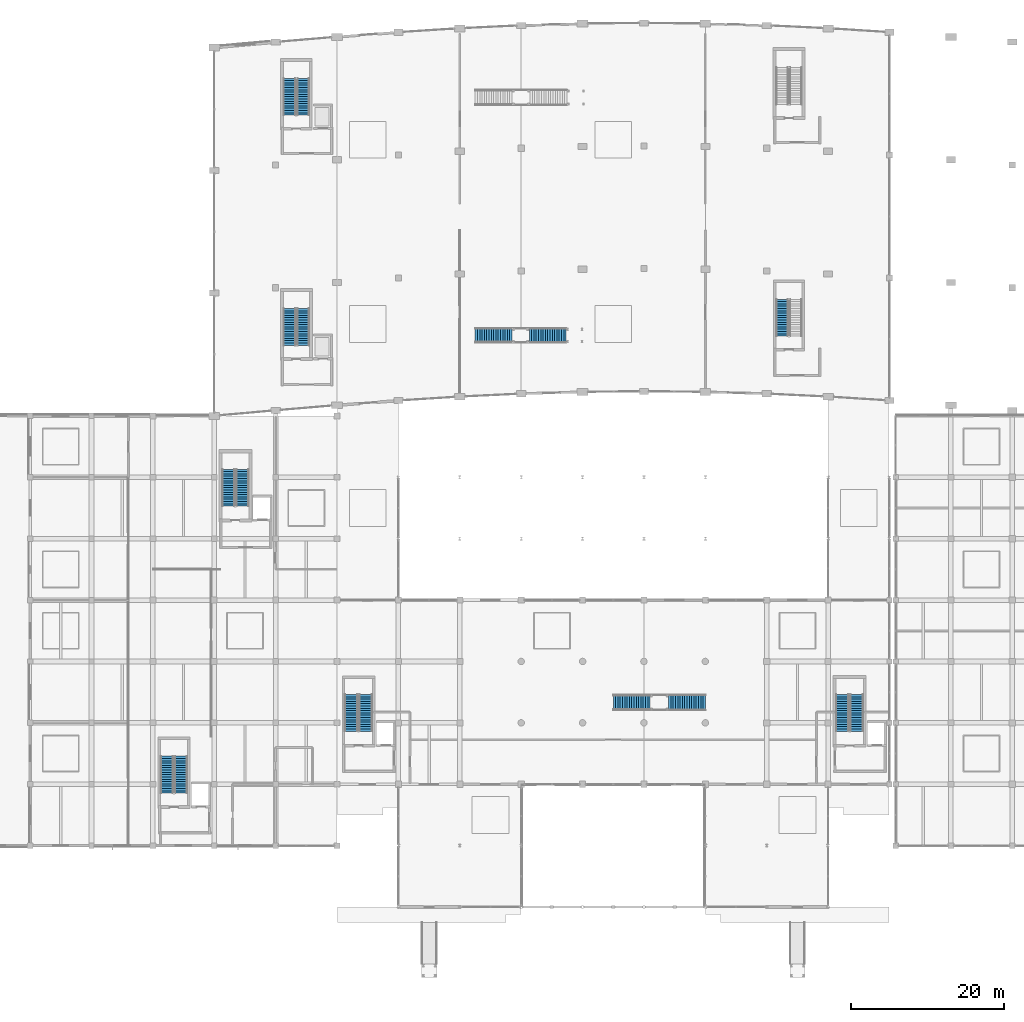
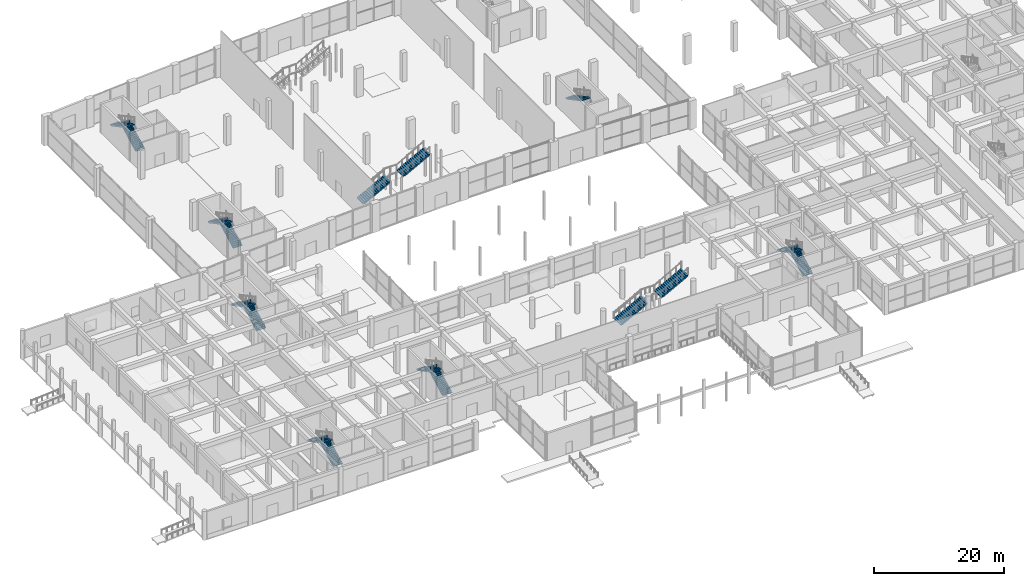
# One storey, part 63 of 86: 17 stair flights, 9 elements without a shape of their own.
"""IFC4 building model written with IfcOpenShell, lengths in metres."""

from ifc_helpers import new_model, si_unit, direction, frame, origin, place, context, subcontext, project, spatial, polyline, outline, extrude, material, layer, layer_set, type_object, element, aggregate, save


model = new_model("IFC4")

# Units and contexts
model_context = context("Model", 3, precision=1e-05, world=origin(), true_north=direction((0.0, 1.0)))
body_context = subcontext(model_context, "Body", "Model", "MODEL_VIEW")
ifc_project = project(units=[si_unit("LENGTHUNIT", "METRE"), si_unit("AREAUNIT", "SQUARE_METRE"), si_unit("VOLUMEUNIT", "CUBIC_METRE"), si_unit("PLANEANGLEUNIT", "RADIAN"), si_unit("MASSUNIT", "GRAM", prefix="KILO")], contexts=[model_context])

# Site, building, storey
site_placement = place(None, origin())
site = spatial("IfcSite", under=ifc_project, at=site_placement, CompositionType="ELEMENT")
building_placement = place(site_placement, origin())
building = spatial("IfcBuilding", under=site, at=building_placement, Name="Kenh Van Central Station", CompositionType="ELEMENT")
storey_placement = place(building_placement, origin())
storey = spatial("IfcBuildingStorey", under=building, at=storey_placement, Name="L00", CompositionType="ELEMENT", Elevation=0.0)

# Stair, stair flights
ifc_material_1 = material(Name="Concrete C35/45", Category="concrete")
stair_type_1 = type_object("IfcStairType", Name="STR-DLG-1600", PredefinedType="HALF_TURN_STAIR", material=ifc_material_1)
stair_1_placement = place(storey_placement, origin())
stair_1 = element("IfcStair", 1, at=stair_1_placement, inside=storey, type_object=stair_type_1, Name="L00 Island Platform 1 West Evacuation Core", PredefinedType="HALF_TURN_STAIR")
ifc_layer_1 = layer(ifc_material_1, 0.179931640625, Name="Concrete C35/45")
ifc_layer_set_1 = layer_set([ifc_layer_1], Name="Concrete C35/45")
stair_flight_type_1 = type_object("IfcStairFlightType", Name="FLT-DLG-1600", PredefinedType="STRAIGHT", material=ifc_layer_set_1)
stair_flight_1_placement = place(storey_placement, frame((43.60009765625, 73.199951171875, 0.0), z_axis=(0.0, 0.0, 1.0), x_axis=(0.0, 1.0, 0.0)))
stair_flight_1 = element("IfcStairFlight", 2, at=stair_flight_1_placement, type_object=stair_flight_type_1, Name="ST-05 flight 1", NumberOfRisers=17, NumberOfTreads=16, PredefinedType="STRAIGHT", RiserHeight=0.158823529, TreadLength=0.3, context=body_context, shape_type="SweptSolid", body=[
    extrude(outline(polyline([(0.0, 0.0), (0.0, 0.158935546875), (0.300048828125, 0.158935546875), (0.300048828125, 0.317626953125), (0.60009765625, 0.317626953125), (0.60009765625, 0.4765625), (0.89990234375, 0.4765625), (0.89990234375, 0.63525390625), (1.199951171875, 0.63525390625), (1.199951171875, 0.794189453125), (1.5, 0.794189453125), (1.5, 0.952880859375), (1.800048828125, 0.952880859375), (1.800048828125, 1.11181640625), (2.10009765625, 1.11181640625), (2.10009765625, 1.2705078125), (2.39990234375, 1.2705078125), (2.39990234375, 1.429443359375), (2.699951171875, 1.429443359375), (2.699951171875, 1.588134765625), (3.0, 1.588134765625), (3.0, 1.7470703125), (3.300048828125, 1.7470703125), (3.300048828125, 1.90576171875), (3.60009765625, 1.90576171875), (3.60009765625, 2.064697265625), (3.89990234375, 2.064697265625), (3.89990234375, 2.2236328125), (4.199951171875, 2.2236328125), (4.199951171875, 2.38232421875), (4.5, 2.38232421875), (4.5, 2.541259765625), (4.800048828125, 2.541259765625), (4.800048828125, 2.699951171875), (4.800048828125, 2.337646484375), (0.384521484375, 0.0), (0.0, 0.0)])), frame((0.0, 0.800048828125, 0.0), z_axis=(0.0, -1.0, 0.0), x_axis=(1.0, 0.0, 0.0)), (0.0, 0.0, 1.0), 1.60009765625),
])
stair_flight_2_placement = place(storey_placement, frame((41.800048828125, 78.0, 2.699951171875), z_axis=(0.0, 0.0, 1.0), x_axis=(0.0, -1.0, 0.0)))
stair_flight_2 = element("IfcStairFlight", 3, at=stair_flight_2_placement, type_object=stair_flight_type_1, Name="ST-05 flight 2", NumberOfRisers=17, NumberOfTreads=16, PredefinedType="STRAIGHT", RiserHeight=0.158823529, TreadLength=0.3, context=body_context, shape_type="SweptSolid", body=[
    extrude(outline(polyline([(0.0, 0.0), (0.0, 0.158935546875), (0.300048828125, 0.158935546875), (0.300048828125, 0.317626953125), (0.60009765625, 0.317626953125), (0.60009765625, 0.4765625), (0.89990234375, 0.4765625), (0.89990234375, 0.63525390625), (1.199951171875, 0.63525390625), (1.199951171875, 0.794189453125), (1.5, 0.794189453125), (1.5, 0.952880859375), (1.800048828125, 0.952880859375), (1.800048828125, 1.11181640625), (2.10009765625, 1.11181640625), (2.10009765625, 1.2705078125), (2.39990234375, 1.2705078125), (2.39990234375, 1.429443359375), (2.699951171875, 1.429443359375), (2.699951171875, 1.588134765625), (3.0, 1.588134765625), (3.0, 1.7470703125), (3.300048828125, 1.7470703125), (3.300048828125, 1.90576171875), (3.60009765625, 1.90576171875), (3.60009765625, 2.064697265625), (3.89990234375, 2.064697265625), (3.89990234375, 2.2236328125), (4.199951171875, 2.2236328125), (4.199951171875, 2.38232421875), (4.5, 2.38232421875), (4.5, 2.541259765625), (4.800048828125, 2.541259765625), (4.800048828125, 2.699951171875), (4.800048828125, 2.337646484375), (0.384521484375, 0.0), (0.0, 0.0)])), frame((0.0, 0.800048828125, 0.0), z_axis=(0.0, -1.0, 0.0), x_axis=(1.0, 0.0, 0.0)), (0.0, 0.0, 1.0), 1.60009765625),
])
aggregate(stair_1, [stair_flight_1, stair_flight_2])

# Stair, stair flight
stair_2_placement = place(storey_placement, origin())
stair_2 = element("IfcStair", 4, at=stair_2_placement, inside=storey, type_object=stair_type_1, Name="L00 Island Platform 1 East Evacuation Core", PredefinedType="HALF_TURN_STAIR")
stair_flight_3_placement = place(storey_placement, frame((106.0, 79.199951171875, 2.699951171875), z_axis=(0.0, 0.0, 1.0), x_axis=(0.0, -1.0, 0.0)))
stair_flight_3 = element("IfcStairFlight", 5, at=stair_flight_3_placement, type_object=stair_flight_type_1, Name="ST-06 flight 2", NumberOfRisers=17, NumberOfTreads=16, PredefinedType="STRAIGHT", RiserHeight=0.158823529, TreadLength=0.3, context=body_context, shape_type="SweptSolid", body=[
    extrude(outline(polyline([(0.0, 0.0), (0.0, 0.158935546875), (0.300048828125, 0.158935546875), (0.300048828125, 0.317626953125), (0.60009765625, 0.317626953125), (0.60009765625, 0.4765625), (0.89990234375, 0.4765625), (0.89990234375, 0.63525390625), (1.199951171875, 0.63525390625), (1.199951171875, 0.794189453125), (1.5, 0.794189453125), (1.5, 0.952880859375), (1.800048828125, 0.952880859375), (1.800048828125, 1.11181640625), (2.10009765625, 1.11181640625), (2.10009765625, 1.2705078125), (2.39990234375, 1.2705078125), (2.39990234375, 1.429443359375), (2.699951171875, 1.429443359375), (2.699951171875, 1.588134765625), (3.0, 1.588134765625), (3.0, 1.7470703125), (3.300048828125, 1.7470703125), (3.300048828125, 1.90576171875), (3.60009765625, 1.90576171875), (3.60009765625, 2.064697265625), (3.89990234375, 2.064697265625), (3.89990234375, 2.2236328125), (4.199951171875, 2.2236328125), (4.199951171875, 2.38232421875), (4.5, 2.38232421875), (4.5, 2.541259765625), (4.800048828125, 2.541259765625), (4.800048828125, 2.699951171875), (4.800048828125, 2.337646484375), (0.384521484375, 0.0), (0.0, 0.0)])), frame((0.0, 0.800048828125, 0.0), z_axis=(0.0, -1.0, 0.0), x_axis=(1.0, 0.0, 0.0)), (0.0, 0.0, 1.0), 1.60009765625),
])
aggregate(stair_2, [stair_flight_3])

# Stair, stair flights
stair_3_placement = place(storey_placement, origin())
stair_3 = element("IfcStair", 6, at=stair_3_placement, inside=storey, type_object=stair_type_1, Name="L00 Island Platform 2 West Evacuation Core", PredefinedType="HALF_TURN_STAIR")
stair_flight_4_placement = place(storey_placement, frame((43.60009765625, 103.199951171875, 0.0), z_axis=(0.0, 0.0, 1.0), x_axis=(0.0, 1.0, 0.0)))
stair_flight_4 = element("IfcStairFlight", 7, at=stair_flight_4_placement, type_object=stair_flight_type_1, Name="ST-07 flight 1", NumberOfRisers=17, NumberOfTreads=16, PredefinedType="STRAIGHT", RiserHeight=0.158823529, TreadLength=0.3, context=body_context, shape_type="SweptSolid", body=[
    extrude(outline(polyline([(0.0, 0.0), (0.0, 0.158935546875), (0.300048828125, 0.158935546875), (0.300048828125, 0.317626953125), (0.60009765625, 0.317626953125), (0.60009765625, 0.4765625), (0.89990234375, 0.4765625), (0.89990234375, 0.63525390625), (1.199951171875, 0.63525390625), (1.199951171875, 0.794189453125), (1.5, 0.794189453125), (1.5, 0.952880859375), (1.800048828125, 0.952880859375), (1.800048828125, 1.11181640625), (2.10009765625, 1.11181640625), (2.10009765625, 1.2705078125), (2.39990234375, 1.2705078125), (2.39990234375, 1.429443359375), (2.699951171875, 1.429443359375), (2.699951171875, 1.588134765625), (3.0, 1.588134765625), (3.0, 1.7470703125), (3.300048828125, 1.7470703125), (3.300048828125, 1.90576171875), (3.60009765625, 1.90576171875), (3.60009765625, 2.064697265625), (3.89990234375, 2.064697265625), (3.89990234375, 2.2236328125), (4.199951171875, 2.2236328125), (4.199951171875, 2.38232421875), (4.5, 2.38232421875), (4.5, 2.541259765625), (4.800048828125, 2.541259765625), (4.800048828125, 2.699951171875), (4.800048828125, 2.337646484375), (0.384521484375, 0.0), (0.0, 0.0)])), frame((0.0, 0.800048828125, 0.0), z_axis=(0.0, -1.0, 0.0), x_axis=(1.0, 0.0, 0.0)), (0.0, 0.0, 1.0), 1.60009765625),
])
stair_flight_5_placement = place(storey_placement, frame((41.800048828125, 108.0, 2.699951171875), z_axis=(0.0, 0.0, 1.0), x_axis=(0.0, -1.0, 0.0)))
stair_flight_5 = element("IfcStairFlight", 8, at=stair_flight_5_placement, type_object=stair_flight_type_1, Name="ST-07 flight 2", NumberOfRisers=17, NumberOfTreads=16, PredefinedType="STRAIGHT", RiserHeight=0.158823529, TreadLength=0.3, context=body_context, shape_type="SweptSolid", body=[
    extrude(outline(polyline([(0.0, 0.0), (0.0, 0.158935546875), (0.300048828125, 0.158935546875), (0.300048828125, 0.317626953125), (0.60009765625, 0.317626953125), (0.60009765625, 0.4765625), (0.89990234375, 0.4765625), (0.89990234375, 0.63525390625), (1.199951171875, 0.63525390625), (1.199951171875, 0.794189453125), (1.5, 0.794189453125), (1.5, 0.952880859375), (1.800048828125, 0.952880859375), (1.800048828125, 1.11181640625), (2.10009765625, 1.11181640625), (2.10009765625, 1.2705078125), (2.39990234375, 1.2705078125), (2.39990234375, 1.429443359375), (2.699951171875, 1.429443359375), (2.699951171875, 1.588134765625), (3.0, 1.588134765625), (3.0, 1.7470703125), (3.300048828125, 1.7470703125), (3.300048828125, 1.90576171875), (3.60009765625, 1.90576171875), (3.60009765625, 2.064697265625), (3.89990234375, 2.064697265625), (3.89990234375, 2.2236328125), (4.199951171875, 2.2236328125), (4.199951171875, 2.38232421875), (4.5, 2.38232421875), (4.5, 2.541259765625), (4.800048828125, 2.541259765625), (4.800048828125, 2.699951171875), (4.800048828125, 2.337646484375), (0.384521484375, 0.0), (0.0, 0.0)])), frame((0.0, 0.800048828125, 0.0), z_axis=(0.0, -1.0, 0.0), x_axis=(1.0, 0.0, 0.0)), (0.0, 0.0, 1.0), 1.60009765625),
])
aggregate(stair_3, [stair_flight_4, stair_flight_5])

stair_type_2 = type_object("IfcStairType", Name="STR-DLG-1650", PredefinedType="HALF_TURN_STAIR", material=ifc_material_1)
stair_4_placement = place(storey_placement, origin())
stair_4 = element("IfcStair", 9, at=stair_4_placement, inside=storey, type_object=stair_type_2, Name="L00 West Retail South Exit Core", PredefinedType="HALF_TURN_STAIR")
ifc_layer_2 = layer(ifc_material_1, 0.179931640625, Name="Concrete C35/45")
ifc_layer_set_2 = layer_set([ifc_layer_2], Name="Concrete C35/45")
stair_flight_type_2 = type_object("IfcStairFlightType", Name="FLT-DLG-1650", PredefinedType="STRAIGHT", material=ifc_layer_set_2)
stair_flight_6_placement = place(storey_placement, frame((27.675048828125, 14.85009765625, 0.0), z_axis=(0.0, 0.0, 1.0), x_axis=(0.0, 1.0, 0.0)))
stair_flight_6 = element("IfcStairFlight", 10, at=stair_flight_6_placement, type_object=stair_flight_type_2, Name="ST-01 flight 1", NumberOfRisers=17, NumberOfTreads=16, PredefinedType="STRAIGHT", RiserHeight=0.158823529, TreadLength=0.3, context=body_context, shape_type="SweptSolid", body=[
    extrude(outline(polyline([(0.0, 0.0), (0.0, 0.158935546875), (0.300048828125, 0.158935546875), (0.300048828125, 0.317626953125), (0.60009765625, 0.317626953125), (0.60009765625, 0.4765625), (0.89990234375, 0.4765625), (0.89990234375, 0.63525390625), (1.199951171875, 0.63525390625), (1.199951171875, 0.794189453125), (1.5, 0.794189453125), (1.5, 0.952880859375), (1.800048828125, 0.952880859375), (1.800048828125, 1.11181640625), (2.10009765625, 1.11181640625), (2.10009765625, 1.2705078125), (2.39990234375, 1.2705078125), (2.39990234375, 1.429443359375), (2.699951171875, 1.429443359375), (2.699951171875, 1.588134765625), (3.0, 1.588134765625), (3.0, 1.7470703125), (3.300048828125, 1.7470703125), (3.300048828125, 1.90576171875), (3.60009765625, 1.90576171875), (3.60009765625, 2.064697265625), (3.89990234375, 2.064697265625), (3.89990234375, 2.2236328125), (4.199951171875, 2.2236328125), (4.199951171875, 2.38232421875), (4.5, 2.38232421875), (4.5, 2.541259765625), (4.800048828125, 2.541259765625), (4.800048828125, 2.699951171875), (4.800048828125, 2.337646484375), (0.384521484375, 0.0), (0.0, 0.0)])), frame((0.0, 0.824951171875, 0.0), z_axis=(0.0, -1.0, 0.0), x_axis=(1.0, 0.0, 0.0)), (0.0, 0.0, 1.0), 1.64990234375),
])
stair_flight_7_placement = place(storey_placement, frame((25.824951171875, 19.64990234375, 2.699951171875), z_axis=(0.0, 0.0, 1.0), x_axis=(0.0, -1.0, 0.0)))
stair_flight_7 = element("IfcStairFlight", 11, at=stair_flight_7_placement, type_object=stair_flight_type_2, Name="ST-01 flight 2", NumberOfRisers=17, NumberOfTreads=16, PredefinedType="STRAIGHT", RiserHeight=0.158823529, TreadLength=0.3, context=body_context, shape_type="SweptSolid", body=[
    extrude(outline(polyline([(0.0, 0.0), (0.0, 0.158935546875), (0.300048828125, 0.158935546875), (0.300048828125, 0.317626953125), (0.60009765625, 0.317626953125), (0.60009765625, 0.4765625), (0.89990234375, 0.4765625), (0.89990234375, 0.63525390625), (1.199951171875, 0.63525390625), (1.199951171875, 0.794189453125), (1.5, 0.794189453125), (1.5, 0.952880859375), (1.800048828125, 0.952880859375), (1.800048828125, 1.11181640625), (2.10009765625, 1.11181640625), (2.10009765625, 1.2705078125), (2.39990234375, 1.2705078125), (2.39990234375, 1.429443359375), (2.699951171875, 1.429443359375), (2.699951171875, 1.588134765625), (3.0, 1.588134765625), (3.0, 1.7470703125), (3.300048828125, 1.7470703125), (3.300048828125, 1.90576171875), (3.60009765625, 1.90576171875), (3.60009765625, 2.064697265625), (3.89990234375, 2.064697265625), (3.89990234375, 2.2236328125), (4.199951171875, 2.2236328125), (4.199951171875, 2.38232421875), (4.5, 2.38232421875), (4.5, 2.541259765625), (4.800048828125, 2.541259765625), (4.800048828125, 2.699951171875), (4.800048828125, 2.337646484375), (0.384521484375, 0.0), (0.0, 0.0)])), frame((0.0, 0.824951171875, 0.0), z_axis=(0.0, -1.0, 0.0), x_axis=(1.0, 0.0, 0.0)), (0.0, 0.0, 1.0), 1.64990234375),
])
aggregate(stair_4, [stair_flight_6, stair_flight_7])

stair_5_placement = place(storey_placement, origin())
stair_5 = element("IfcStair", 12, at=stair_5_placement, inside=storey, type_object=stair_type_2, Name="L00 West Retail North Exit Core", PredefinedType="HALF_TURN_STAIR")
stair_flight_8_placement = place(storey_placement, frame((35.675048828125, 52.25, 0.0), z_axis=(0.0, 0.0, 1.0), x_axis=(0.0, 1.0, 0.0)))
stair_flight_8 = element("IfcStairFlight", 13, at=stair_flight_8_placement, type_object=stair_flight_type_2, Name="ST-02 flight 1", NumberOfRisers=17, NumberOfTreads=16, PredefinedType="STRAIGHT", RiserHeight=0.158823529, TreadLength=0.3, context=body_context, shape_type="SweptSolid", body=[
    extrude(outline(polyline([(0.0, 0.0), (0.0, 0.158935546875), (0.300048828125, 0.158935546875), (0.300048828125, 0.317626953125), (0.60009765625, 0.317626953125), (0.60009765625, 0.4765625), (0.89990234375, 0.4765625), (0.89990234375, 0.63525390625), (1.199951171875, 0.63525390625), (1.199951171875, 0.794189453125), (1.5, 0.794189453125), (1.5, 0.952880859375), (1.800048828125, 0.952880859375), (1.800048828125, 1.11181640625), (2.10009765625, 1.11181640625), (2.10009765625, 1.2705078125), (2.39990234375, 1.2705078125), (2.39990234375, 1.429443359375), (2.699951171875, 1.429443359375), (2.699951171875, 1.588134765625), (3.0, 1.588134765625), (3.0, 1.7470703125), (3.300048828125, 1.7470703125), (3.300048828125, 1.90576171875), (3.60009765625, 1.90576171875), (3.60009765625, 2.064697265625), (3.89990234375, 2.064697265625), (3.89990234375, 2.2236328125), (4.199951171875, 2.2236328125), (4.199951171875, 2.38232421875), (4.5, 2.38232421875), (4.5, 2.541259765625), (4.800048828125, 2.541259765625), (4.800048828125, 2.699951171875), (4.800048828125, 2.337646484375), (0.384521484375, 0.0), (0.0, 0.0)])), frame((0.0, 0.824951171875, 0.0), z_axis=(0.0, -1.0, 0.0), x_axis=(1.0, 0.0, 0.0)), (0.0, 0.0, 1.0), 1.64990234375),
])
stair_flight_9_placement = place(storey_placement, frame((33.824951171875, 57.050048828125, 2.699951171875), z_axis=(0.0, 0.0, 1.0), x_axis=(0.0, -1.0, 0.0)))
stair_flight_9 = element("IfcStairFlight", 14, at=stair_flight_9_placement, type_object=stair_flight_type_2, Name="ST-02 flight 2", NumberOfRisers=17, NumberOfTreads=16, PredefinedType="STRAIGHT", RiserHeight=0.158823529, TreadLength=0.3, context=body_context, shape_type="SweptSolid", body=[
    extrude(outline(polyline([(0.0, 0.0), (0.0, 0.158935546875), (0.300048828125, 0.158935546875), (0.300048828125, 0.317626953125), (0.60009765625, 0.317626953125), (0.60009765625, 0.4765625), (0.89990234375, 0.4765625), (0.89990234375, 0.63525390625), (1.199951171875, 0.63525390625), (1.199951171875, 0.794189453125), (1.5, 0.794189453125), (1.5, 0.952880859375), (1.800048828125, 0.952880859375), (1.800048828125, 1.11181640625), (2.10009765625, 1.11181640625), (2.10009765625, 1.2705078125), (2.39990234375, 1.2705078125), (2.39990234375, 1.429443359375), (2.699951171875, 1.429443359375), (2.699951171875, 1.588134765625), (3.0, 1.588134765625), (3.0, 1.7470703125), (3.300048828125, 1.7470703125), (3.300048828125, 1.90576171875), (3.60009765625, 1.90576171875), (3.60009765625, 2.064697265625), (3.89990234375, 2.064697265625), (3.89990234375, 2.2236328125), (4.199951171875, 2.2236328125), (4.199951171875, 2.38232421875), (4.5, 2.38232421875), (4.5, 2.541259765625), (4.800048828125, 2.541259765625), (4.800048828125, 2.699951171875), (4.800048828125, 2.337646484375), (0.384521484375, 0.0), (0.0, 0.0)])), frame((0.0, 0.824951171875, 0.0), z_axis=(0.0, -1.0, 0.0), x_axis=(1.0, 0.0, 0.0)), (0.0, 0.0, 1.0), 1.64990234375),
])
aggregate(stair_5, [stair_flight_8, stair_flight_9])

stair_type_3 = type_object("IfcStairType", Name="STR-DLG-1700", PredefinedType="HALF_TURN_STAIR", material=ifc_material_1)
stair_6_placement = place(storey_placement, origin())
stair_6 = element("IfcStair", 15, at=stair_6_placement, inside=storey, type_object=stair_type_3, Name="L00 Ticket Hall West Exit Core", PredefinedType="HALF_TURN_STAIR")
ifc_layer_3 = layer(ifc_material_1, 0.179931640625, Name="Concrete C35/45")
ifc_layer_set_3 = layer_set([ifc_layer_3], Name="Concrete C35/45")
stair_flight_type_3 = type_object("IfcStairFlightType", Name="FLT-DLG-1700", PredefinedType="STRAIGHT", material=ifc_layer_set_3)
stair_flight_10_placement = place(storey_placement, frame((51.75, 22.89990234375, 0.0), z_axis=(0.0, 0.0, 1.0), x_axis=(0.0, 1.0, 0.0)))
stair_flight_10 = element("IfcStairFlight", 16, at=stair_flight_10_placement, type_object=stair_flight_type_3, Name="ST-03 flight 1", NumberOfRisers=17, NumberOfTreads=16, PredefinedType="STRAIGHT", RiserHeight=0.158823529, TreadLength=0.3, context=body_context, shape_type="SweptSolid", body=[
    extrude(outline(polyline([(0.0, 0.0), (0.0, 0.158935546875), (0.300048828125, 0.158935546875), (0.300048828125, 0.317626953125), (0.60009765625, 0.317626953125), (0.60009765625, 0.4765625), (0.89990234375, 0.4765625), (0.89990234375, 0.63525390625), (1.199951171875, 0.63525390625), (1.199951171875, 0.794189453125), (1.5, 0.794189453125), (1.5, 0.952880859375), (1.800048828125, 0.952880859375), (1.800048828125, 1.11181640625), (2.10009765625, 1.11181640625), (2.10009765625, 1.2705078125), (2.39990234375, 1.2705078125), (2.39990234375, 1.429443359375), (2.699951171875, 1.429443359375), (2.699951171875, 1.588134765625), (3.0, 1.588134765625), (3.0, 1.7470703125), (3.300048828125, 1.7470703125), (3.300048828125, 1.90576171875), (3.60009765625, 1.90576171875), (3.60009765625, 2.064697265625), (3.89990234375, 2.064697265625), (3.89990234375, 2.2236328125), (4.199951171875, 2.2236328125), (4.199951171875, 2.38232421875), (4.5, 2.38232421875), (4.5, 2.541259765625), (4.800048828125, 2.541259765625), (4.800048828125, 2.699951171875), (4.800048828125, 2.337646484375), (0.384521484375, 0.0), (0.0, 0.0)])), frame((0.0, 0.85009765625, 0.0), z_axis=(0.0, -1.0, 0.0), x_axis=(1.0, 0.0, 0.0)), (0.0, 0.0, 1.0), 1.699951171875),
])
stair_flight_11_placement = place(storey_placement, frame((49.85009765625, 27.699951171875, 2.699951171875), z_axis=(0.0, 0.0, 1.0), x_axis=(0.0, -1.0, 0.0)))
stair_flight_11 = element("IfcStairFlight", 17, at=stair_flight_11_placement, type_object=stair_flight_type_3, Name="ST-03 flight 2", NumberOfRisers=17, NumberOfTreads=16, PredefinedType="STRAIGHT", RiserHeight=0.158823529, TreadLength=0.3, context=body_context, shape_type="SweptSolid", body=[
    extrude(outline(polyline([(0.0, 0.0), (0.0, 0.158935546875), (0.300048828125, 0.158935546875), (0.300048828125, 0.317626953125), (0.60009765625, 0.317626953125), (0.60009765625, 0.4765625), (0.89990234375, 0.4765625), (0.89990234375, 0.63525390625), (1.199951171875, 0.63525390625), (1.199951171875, 0.794189453125), (1.5, 0.794189453125), (1.5, 0.952880859375), (1.800048828125, 0.952880859375), (1.800048828125, 1.11181640625), (2.10009765625, 1.11181640625), (2.10009765625, 1.2705078125), (2.39990234375, 1.2705078125), (2.39990234375, 1.429443359375), (2.699951171875, 1.429443359375), (2.699951171875, 1.588134765625), (3.0, 1.588134765625), (3.0, 1.7470703125), (3.300048828125, 1.7470703125), (3.300048828125, 1.90576171875), (3.60009765625, 1.90576171875), (3.60009765625, 2.064697265625), (3.89990234375, 2.064697265625), (3.89990234375, 2.2236328125), (4.199951171875, 2.2236328125), (4.199951171875, 2.38232421875), (4.5, 2.38232421875), (4.5, 2.541259765625), (4.800048828125, 2.541259765625), (4.800048828125, 2.699951171875), (4.800048828125, 2.337646484375), (0.384521484375, 0.0), (0.0, 0.0)])), frame((0.0, 0.85009765625, 0.0), z_axis=(0.0, -1.0, 0.0), x_axis=(1.0, 0.0, 0.0)), (0.0, 0.0, 1.0), 1.699951171875),
])
aggregate(stair_6, [stair_flight_10, stair_flight_11])

stair_7_placement = place(storey_placement, origin())
stair_7 = element("IfcStair", 18, at=stair_7_placement, inside=storey, type_object=stair_type_3, Name="L00 Ticket Hall East Exit Core", PredefinedType="HALF_TURN_STAIR")
stair_flight_12_placement = place(storey_placement, frame((115.75, 22.89990234375, 0.0), z_axis=(0.0, 0.0, 1.0), x_axis=(0.0, 1.0, 0.0)))
stair_flight_12 = element("IfcStairFlight", 19, at=stair_flight_12_placement, type_object=stair_flight_type_3, Name="ST-04 flight 1", NumberOfRisers=17, NumberOfTreads=16, PredefinedType="STRAIGHT", RiserHeight=0.158823529, TreadLength=0.3, context=body_context, shape_type="SweptSolid", body=[
    extrude(outline(polyline([(0.0, 0.0), (0.0, 0.158935546875), (0.300048828125, 0.158935546875), (0.300048828125, 0.317626953125), (0.60009765625, 0.317626953125), (0.60009765625, 0.4765625), (0.89990234375, 0.4765625), (0.89990234375, 0.63525390625), (1.199951171875, 0.63525390625), (1.199951171875, 0.794189453125), (1.5, 0.794189453125), (1.5, 0.952880859375), (1.800048828125, 0.952880859375), (1.800048828125, 1.11181640625), (2.10009765625, 1.11181640625), (2.10009765625, 1.2705078125), (2.39990234375, 1.2705078125), (2.39990234375, 1.429443359375), (2.699951171875, 1.429443359375), (2.699951171875, 1.588134765625), (3.0, 1.588134765625), (3.0, 1.7470703125), (3.300048828125, 1.7470703125), (3.300048828125, 1.90576171875), (3.60009765625, 1.90576171875), (3.60009765625, 2.064697265625), (3.89990234375, 2.064697265625), (3.89990234375, 2.2236328125), (4.199951171875, 2.2236328125), (4.199951171875, 2.38232421875), (4.5, 2.38232421875), (4.5, 2.541259765625), (4.800048828125, 2.541259765625), (4.800048828125, 2.699951171875), (4.800048828125, 2.337646484375), (0.384521484375, 0.0), (0.0, 0.0)])), frame((0.0, 0.85009765625, 0.0), z_axis=(0.0, -1.0, 0.0), x_axis=(1.0, 0.0, 0.0)), (0.0, 0.0, 1.0), 1.699951171875),
])
stair_flight_13_placement = place(storey_placement, frame((113.85009765625, 27.699951171875, 2.699951171875), z_axis=(0.0, 0.0, 1.0), x_axis=(0.0, -1.0, 0.0)))
stair_flight_13 = element("IfcStairFlight", 20, at=stair_flight_13_placement, type_object=stair_flight_type_3, Name="ST-04 flight 2", NumberOfRisers=17, NumberOfTreads=16, PredefinedType="STRAIGHT", RiserHeight=0.158823529, TreadLength=0.3, context=body_context, shape_type="SweptSolid", body=[
    extrude(outline(polyline([(0.0, 0.0), (0.0, 0.158935546875), (0.300048828125, 0.158935546875), (0.300048828125, 0.317626953125), (0.60009765625, 0.317626953125), (0.60009765625, 0.4765625), (0.89990234375, 0.4765625), (0.89990234375, 0.63525390625), (1.199951171875, 0.63525390625), (1.199951171875, 0.794189453125), (1.5, 0.794189453125), (1.5, 0.952880859375), (1.800048828125, 0.952880859375), (1.800048828125, 1.11181640625), (2.10009765625, 1.11181640625), (2.10009765625, 1.2705078125), (2.39990234375, 1.2705078125), (2.39990234375, 1.429443359375), (2.699951171875, 1.429443359375), (2.699951171875, 1.588134765625), (3.0, 1.588134765625), (3.0, 1.7470703125), (3.300048828125, 1.7470703125), (3.300048828125, 1.90576171875), (3.60009765625, 1.90576171875), (3.60009765625, 2.064697265625), (3.89990234375, 2.064697265625), (3.89990234375, 2.2236328125), (4.199951171875, 2.2236328125), (4.199951171875, 2.38232421875), (4.5, 2.38232421875), (4.5, 2.541259765625), (4.800048828125, 2.541259765625), (4.800048828125, 2.699951171875), (4.800048828125, 2.337646484375), (0.384521484375, 0.0), (0.0, 0.0)])), frame((0.0, 0.85009765625, 0.0), z_axis=(0.0, -1.0, 0.0), x_axis=(1.0, 0.0, 0.0)), (0.0, 0.0, 1.0), 1.699951171875),
])
aggregate(stair_7, [stair_flight_12, stair_flight_13])

ifc_material_2 = material(Name="Concrete C40/50", Category="concrete")
stair_type_4 = type_object("IfcStairType", Name="STR-PUB-1950", PredefinedType="STRAIGHT_RUN_STAIR", material=ifc_material_2)
stair_8_placement = place(storey_placement, origin())
stair_8 = element("IfcStair", 21, at=stair_8_placement, inside=storey, type_object=stair_type_4, Name="Island Platform 1 Central Transfer Stair", PredefinedType="STRAIGHT_RUN_STAIR")
ifc_layer_4 = layer(ifc_material_2, 0.199951171875, Name="Concrete C40/50")
ifc_layer_set_4 = layer_set([ifc_layer_4], Name="Concrete C40/50")
stair_flight_type_4 = type_object("IfcStairFlightType", Name="FLT-PUB-1950", PredefinedType="STRAIGHT", material=ifc_layer_set_4)
stair_flight_14_placement = place(storey_placement, frame((66.0, 74.5, 0.0), z_axis=(0.0, 0.0, 1.0), x_axis=(1.0, 0.0, 0.0)))
stair_flight_14 = element("IfcStairFlight", 22, at=stair_flight_14_placement, type_object=stair_flight_type_4, Name="ST-P5A flight 1", NumberOfRisers=17, NumberOfTreads=16, PredefinedType="STRAIGHT", RiserHeight=0.158823529, TreadLength=0.3, context=body_context, shape_type="SweptSolid", body=[
    extrude(outline(polyline([(0.0, 0.0), (0.0, 0.158935546875), (0.300048828125, 0.158935546875), (0.300048828125, 0.317626953125), (0.60009765625, 0.317626953125), (0.60009765625, 0.4765625), (0.89990234375, 0.4765625), (0.89990234375, 0.63525390625), (1.199951171875, 0.63525390625), (1.199951171875, 0.794189453125), (1.5, 0.794189453125), (1.5, 0.952880859375), (1.800048828125, 0.952880859375), (1.800048828125, 1.11181640625), (2.10009765625, 1.11181640625), (2.10009765625, 1.2705078125), (2.39990234375, 1.2705078125), (2.39990234375, 1.429443359375), (2.699951171875, 1.429443359375), (2.699951171875, 1.588134765625), (3.0, 1.588134765625), (3.0, 1.7470703125), (3.300048828125, 1.7470703125), (3.300048828125, 1.90576171875), (3.60009765625, 1.90576171875), (3.60009765625, 2.064697265625), (3.89990234375, 2.064697265625), (3.89990234375, 2.2236328125), (4.199951171875, 2.2236328125), (4.199951171875, 2.38232421875), (4.5, 2.38232421875), (4.5, 2.541259765625), (4.800048828125, 2.541259765625), (4.800048828125, 2.699951171875), (4.800048828125, 2.31494140625), (0.42724609375, 0.0), (0.0, 0.0)])), frame((0.0, 0.97509765625, 0.0), z_axis=(0.0, -1.0, 0.0), x_axis=(1.0, 0.0, 0.0)), (0.0, 0.0, 1.0), 1.949951171875),
])
stair_flight_15_placement = place(storey_placement, frame((73.050048828125, 74.5, 2.699951171875), z_axis=(0.0, 0.0, 1.0), x_axis=(1.0, 0.0, 0.0)))
stair_flight_15 = element("IfcStairFlight", 23, at=stair_flight_15_placement, type_object=stair_flight_type_4, Name="ST-P5A flight 2", NumberOfRisers=17, NumberOfTreads=16, PredefinedType="STRAIGHT", RiserHeight=0.158823529, TreadLength=0.3, context=body_context, shape_type="SweptSolid", body=[
    extrude(outline(polyline([(0.0, 0.0), (0.0, 0.158935546875), (0.300048828125, 0.158935546875), (0.300048828125, 0.317626953125), (0.60009765625, 0.317626953125), (0.60009765625, 0.4765625), (0.89990234375, 0.4765625), (0.89990234375, 0.63525390625), (1.199951171875, 0.63525390625), (1.199951171875, 0.794189453125), (1.5, 0.794189453125), (1.5, 0.952880859375), (1.800048828125, 0.952880859375), (1.800048828125, 1.11181640625), (2.10009765625, 1.11181640625), (2.10009765625, 1.2705078125), (2.39990234375, 1.2705078125), (2.39990234375, 1.429443359375), (2.699951171875, 1.429443359375), (2.699951171875, 1.588134765625), (3.0, 1.588134765625), (3.0, 1.7470703125), (3.300048828125, 1.7470703125), (3.300048828125, 1.90576171875), (3.60009765625, 1.90576171875), (3.60009765625, 2.064697265625), (3.89990234375, 2.064697265625), (3.89990234375, 2.2236328125), (4.199951171875, 2.2236328125), (4.199951171875, 2.38232421875), (4.5, 2.38232421875), (4.5, 2.541259765625), (4.800048828125, 2.541259765625), (4.800048828125, 2.699951171875), (4.800048828125, 2.31494140625), (0.42724609375, 0.0), (0.0, 0.0)])), frame((0.0, 0.97509765625, 0.0), z_axis=(0.0, -1.0, 0.0), x_axis=(1.0, 0.0, 0.0)), (0.0, 0.0, 1.0), 1.949951171875),
])
aggregate(stair_8, [stair_flight_14, stair_flight_15])

stair_type_5 = type_object("IfcStairType", Name="STR-PUB-2100", PredefinedType="STRAIGHT_RUN_STAIR", material=ifc_material_2)
stair_9_placement = place(storey_placement, origin())
stair_9 = element("IfcStair", 24, at=stair_9_placement, inside=storey, type_object=stair_type_5, Name="Ticket Hall Atrium Concourse Stair", PredefinedType="STRAIGHT_RUN_STAIR")
ifc_layer_5 = layer(ifc_material_2, 0.199951171875, Name="Concrete C40/50")
ifc_layer_set_5 = layer_set([ifc_layer_5], Name="Concrete C40/50")
stair_flight_type_5 = type_object("IfcStairFlightType", Name="FLT-PUB-2100", PredefinedType="STRAIGHT", material=ifc_layer_set_5)
stair_flight_16_placement = place(storey_placement, frame((84.0048828125, 26.64990234375, 0.0), z_axis=(0.0, 0.0, 1.0), x_axis=(1.0, 0.0, 0.0)))
stair_flight_16 = element("IfcStairFlight", 25, at=stair_flight_16_placement, type_object=stair_flight_type_5, Name="ST-P3 flight 1", NumberOfRisers=17, NumberOfTreads=16, PredefinedType="STRAIGHT", RiserHeight=0.158823529, TreadLength=0.3, context=body_context, shape_type="SweptSolid", body=[
    extrude(outline(polyline([(0.0, 0.0), (0.0, 0.158935546875), (0.300048828125, 0.158935546875), (0.300048828125, 0.317626953125), (0.60009765625, 0.317626953125), (0.60009765625, 0.4765625), (0.89990234375, 0.4765625), (0.89990234375, 0.63525390625), (1.199951171875, 0.63525390625), (1.199951171875, 0.794189453125), (1.5, 0.794189453125), (1.5, 0.952880859375), (1.800048828125, 0.952880859375), (1.800048828125, 1.11181640625), (2.10009765625, 1.11181640625), (2.10009765625, 1.2705078125), (2.39990234375, 1.2705078125), (2.39990234375, 1.429443359375), (2.699951171875, 1.429443359375), (2.699951171875, 1.588134765625), (3.0, 1.588134765625), (3.0, 1.7470703125), (3.300048828125, 1.7470703125), (3.300048828125, 1.90576171875), (3.60009765625, 1.90576171875), (3.60009765625, 2.064697265625), (3.89990234375, 2.064697265625), (3.89990234375, 2.2236328125), (4.199951171875, 2.2236328125), (4.199951171875, 2.38232421875), (4.5, 2.38232421875), (4.5, 2.541259765625), (4.800048828125, 2.541259765625), (4.800048828125, 2.699951171875), (4.800048828125, 2.31494140625), (0.42724609375, 0.0), (0.0, 0.0)])), frame((0.0, 1.050048828125, 0.0), z_axis=(0.0, -1.0, 0.0), x_axis=(1.0, 0.0, 0.0)), (0.0, 0.0, 1.0), 2.10009765625),
])
stair_flight_17_placement = place(storey_placement, frame((91.205078125, 26.64990234375, 2.699951171875), z_axis=(0.0, 0.0, 1.0), x_axis=(1.0, 0.0, 0.0)))
stair_flight_17 = element("IfcStairFlight", 26, at=stair_flight_17_placement, type_object=stair_flight_type_5, Name="ST-P3 flight 2", NumberOfRisers=17, NumberOfTreads=16, PredefinedType="STRAIGHT", RiserHeight=0.158823529, TreadLength=0.3, context=body_context, shape_type="SweptSolid", body=[
    extrude(outline(polyline([(0.0, 0.0), (0.0, 0.158935546875), (0.300048828125, 0.158935546875), (0.300048828125, 0.317626953125), (0.60009765625, 0.317626953125), (0.60009765625, 0.4765625), (0.89990234375, 0.4765625), (0.89990234375, 0.63525390625), (1.199951171875, 0.63525390625), (1.199951171875, 0.794189453125), (1.5, 0.794189453125), (1.5, 0.952880859375), (1.800048828125, 0.952880859375), (1.800048828125, 1.11181640625), (2.10009765625, 1.11181640625), (2.10009765625, 1.2705078125), (2.39990234375, 1.2705078125), (2.39990234375, 1.429443359375), (2.699951171875, 1.429443359375), (2.699951171875, 1.588134765625), (3.0, 1.588134765625), (3.0, 1.7470703125), (3.300048828125, 1.7470703125), (3.300048828125, 1.90576171875), (3.60009765625, 1.90576171875), (3.60009765625, 2.064697265625), (3.89990234375, 2.064697265625), (3.89990234375, 2.2236328125), (4.199951171875, 2.2236328125), (4.199951171875, 2.38232421875), (4.5, 2.38232421875), (4.5, 2.541259765625), (4.800048828125, 2.541259765625), (4.800048828125, 2.699951171875), (4.800048828125, 2.31494140625), (0.42724609375, 0.0), (0.0, 0.0)])), frame((0.0, 1.050048828125, 0.0), z_axis=(0.0, -1.0, 0.0), x_axis=(1.0, 0.0, 0.0)), (0.0, 0.0, 1.0), 2.10009765625),
])
aggregate(stair_9, [stair_flight_16, stair_flight_17])

save(model, "model.ifc")
